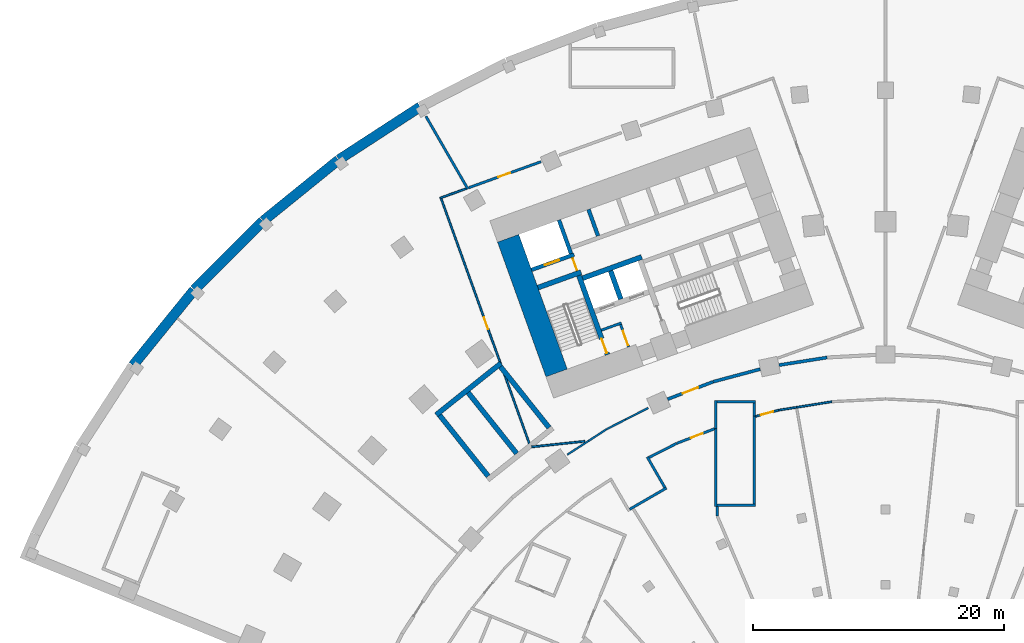
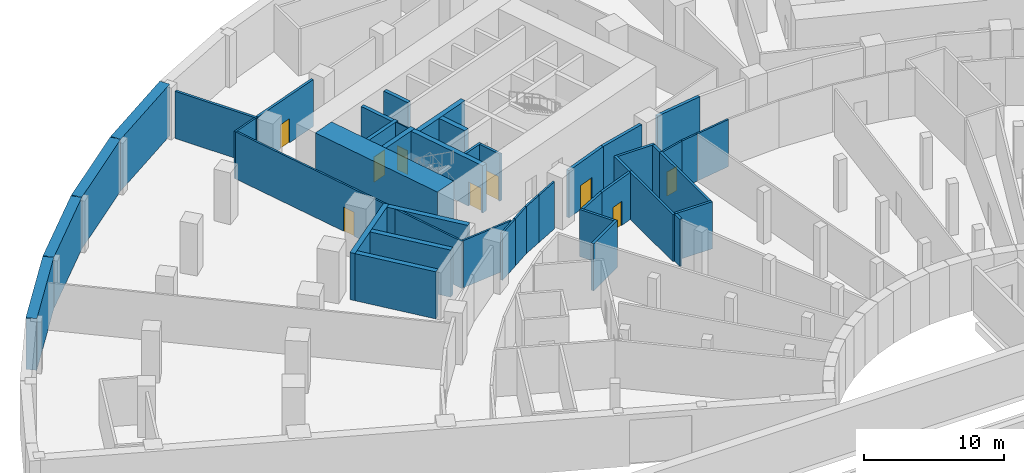
# One storey, part 8 of 23: 45 walls, 9 doors, 9 openings.
"""IFC4 building model written with IfcOpenShell, lengths in metres."""

from ifc_helpers import new_model, si_unit, direction, frame, frame_2d, origin, place, context, subcontext, project, spatial, rectangle, extrude, material, layer, layer_set, type_object, element, fill, save


model = new_model("IFC4")

# Units and contexts
model_context = context("Model", 3, precision=1e-05, world=origin(), true_north=direction((0.0, 1.0)))
body_context = subcontext(model_context, "Body", "Model", "MODEL_VIEW")
ifc_project = project(units=[si_unit("LENGTHUNIT", "METRE"), si_unit("AREAUNIT", "SQUARE_METRE"), si_unit("VOLUMEUNIT", "CUBIC_METRE"), si_unit("PLANEANGLEUNIT", "RADIAN"), si_unit("MASSUNIT", "GRAM", prefix="KILO")], contexts=[model_context])

# Site, building, storey
site_placement = place(None, origin())
site = spatial("IfcSite", under=ifc_project, at=site_placement, CompositionType="ELEMENT")
building_placement = place(site_placement, origin())
building = spatial("IfcBuilding", under=site, at=building_placement, Name="Stone Belt Terrace Tower", CompositionType="ELEMENT")
storey_placement = place(building_placement, frame((0.0, 0.0, -4.5)))
storey = spatial("IfcBuildingStorey", under=building, at=storey_placement, Name="B1", CompositionType="ELEMENT", Elevation=-4.5)

# Walls
ifc_material_1 = material(Name="Concrete B30", Category="concrete")
ifc_layer_1 = layer(ifc_material_1, 0.800048828125)
ifc_layer_set_1 = layer_set([ifc_layer_1], Name="Basement wall 800 B30")
wall_type_1 = type_object("IfcWallType", Name="Basement wall 800 B30", PredefinedType="SHEAR", material=ifc_layer_set_1)
for number, where, z_axis, x_axis, name in (
    (1, (-37.0673828125, 64.16064453125, 0.0), (0.0, 0.0, 1.0), (-0.838660466412, -0.544654589696, 0.0), "Basement wall B1 41"),
    (2, (-43.57080078125, 59.9345703125, 0.0), (0.0, 0.0, 1.0), (-0.777146839365, -0.629319306922, 0.0), "Basement wall B1 42"),
    (3, (-49.596923828125, 55.0517578125, 0.0), (0.0, 0.0, 1.0), (-0.707106781187, -0.707106781187, 0.0), "Basement wall B1 43"),
    (4, (-55.079833984375, 49.56591796875, 0.0), (0.0, 0.0, 1.0), (-0.629319306922, -0.777146839365, 0.0), "Basement wall B1 44"),
):
    element("IfcWall", number, at=place(storey_placement, frame(where, z_axis=z_axis, x_axis=x_axis)), inside=storey, type_object=wall_type_1, Name=name, PredefinedType="SHEAR", context=body_context, shape_type="SweptSolid", body=[
        extrude(rectangle(XDim=7.71435546875, YDim=0.800048828125, at=frame_2d((3.857177734375, 0.0))), origin(), (0.0, 0.0, 1.0), 4.5),
    ])
ifc_layer_2 = layer(ifc_material_1, 0.25)
ifc_layer_set_2 = layer_set([ifc_layer_2], Name="Compartment wall 250")
wall_type_2 = type_object("IfcWallType", Name="Compartment wall 250", PredefinedType="SOLIDWALL", material=ifc_layer_set_2)
wall_1_placement = place(storey_placement, frame((-8.480224609375, 43.59521484375, 0.0), z_axis=(0.0, 0.0, 1.0), x_axis=(0.987762453966, 0.155965812071, 0.0)))
element("IfcWall", 5, at=wall_1_placement, inside=storey, type_object=wall_type_2, Name="Compartment wall B1 8", PredefinedType="SOLIDWALL", context=body_context, shape_type="SweptSolid", body=[
    extrude(rectangle(XDim=3.87109375, YDim=0.25, at=frame_2d((1.935546875, 0.0))), origin(), (0.0, 0.0, 1.0), 4.10009765625),
])

# Wall, opening, door
ifc_material_2 = material(Name="Plasterboard partition")
ifc_layer_3 = layer(ifc_material_2, 0.10009765625)
ifc_layer_set_3 = layer_set([ifc_layer_3], Name="Core partition 100")
wall_type_3 = type_object("IfcWallType", Name="Core partition 100", PredefinedType="PARTITIONING", material=ifc_layer_set_3)
wall_2_placement = place(storey_placement, frame((-24.555908203125, 51.10400390625, 0.0), z_axis=(0.0, 0.0, 1.0), x_axis=(-0.338621735342, 0.94092258999, 0.0)))
wall_2 = element("IfcWall", 6, at=wall_2_placement, inside=storey, type_object=wall_type_3, Name="Core A wall", PredefinedType="PARTITIONING", context=body_context, shape_type="SweptSolid", body=[
    extrude(rectangle(XDim=1.14990234375, YDim=0.10009765625, at=frame_2d((0.574951171875, 0.0))), origin(), (0.0, 0.0, 1.0), 4.10009765625),
])
opening_1_placement = place(wall_2_placement, frame((0.050048828125, 0.0, 0.0)))
opening_1 = element("IfcOpeningElement", 7, at=opening_1_placement, cuts=wall_2, Name="Opening B1-C01", PredefinedType="OPENING", context=body_context, shape_type="SweptSolid", body=[
    extrude(rectangle(XDim=1.0, YDim=2.10009765625, at=frame_2d((0.5, 1.050048828125))), frame((0.0, 0.06005859375, 0.0), z_axis=(0.0, -1.0, 0.0), x_axis=(1.0, 0.0, 0.0)), (0.0, 0.0, 1.0), 0.1201171875),
])
ifc_material_3 = material(Name="Timber door leaf", Category="wood")
door_type_1 = type_object("IfcDoorType", Name="Core room door 1000", OperationType="SINGLE_SWING_LEFT", PredefinedType="DOOR", material=ifc_material_3)
door_1_placement = place(opening_1_placement, origin())
door_1 = element("IfcDoor", 8, at=door_1_placement, inside=storey, type_object=door_type_1, Name="Service lift lobby door core A", OperationType="SINGLE_SWING_RIGHT", OverallHeight=2.10009765625, OverallWidth=1.0, PredefinedType="DOOR", context=body_context, shape_type="SweptSolid", body=[
    extrude(rectangle(XDim=1.0, YDim=2.10009765625, at=frame_2d((0.5, 1.050048828125))), frame((0.0, 0.02490234375, 0.0), z_axis=(0.0, -1.0, 0.0), x_axis=(1.0, 0.0, 0.0)), (0.0, 0.0, 1.0), 0.050048828125),
])
fill(opening_1, door_1)

# Walls
ifc_material_4 = material(Name="Concrete B80", Category="concrete")
ifc_layer_4 = layer(ifc_material_4, 1.800048828125)
ifc_layer_set_4 = layer_set([ifc_layer_4], Name="Core wall 1800 B80")
wall_type_4 = type_object("IfcWallType", Name="Core wall 1800 B80", PredefinedType="SHEAR", material=ifc_layer_set_4)
wall_3_placement = place(storey_placement, frame((-26.197509765625, 42.96728515625, 0.0), z_axis=(0.0, 0.0, 1.0), x_axis=(-0.338625431531, 0.940921259788, 0.0)))
element("IfcWall", 9, at=wall_3_placement, inside=storey, type_object=wall_type_4, Name="Core A wall end_a B1", PredefinedType="SHEAR", context=body_context, shape_type="SweptSolid", body=[
    extrude(rectangle(XDim=11.400146484375, YDim=1.800048828125, at=frame_2d((5.7001953125, 0.0))), origin(), (0.0, 0.0, 1.0), 4.5),
])
ifc_layer_5 = layer(ifc_material_4, 0.39990234375)
ifc_layer_set_5 = layer_set([ifc_layer_5], Name="Fire-fighting lift shaft wall 400")
wall_type_5 = type_object("IfcWallType", Name="Fire-fighting lift shaft wall 400", PredefinedType="SHEAR", material=ifc_layer_set_5)
wall_4_placement = place(storey_placement, frame((-24.130615234375, 50.512939453125, 0.0), z_axis=(0.0, 0.0, 1.0), x_axis=(0.94091168377, 0.338652038744, 0.0)))
element("IfcWall", 10, at=wall_4_placement, inside=storey, type_object=wall_type_5, Name="Core A wall", PredefinedType="SHEAR", context=body_context, shape_type="SweptSolid", body=[
    extrude(rectangle(XDim=5.000244140625, YDim=0.39990234375, at=frame_2d((2.5, 0.0))), origin(), (0.0, 0.0, 1.0), 4.10009765625),
])
wall_5_placement = place(storey_placement, frame((-21.0859375, 48.845458984375, 0.0), z_axis=(0.0, 0.0, 1.0), x_axis=(-0.338629416206, 0.940919825745, 0.0)))
element("IfcWall", 11, at=wall_5_placement, inside=storey, type_object=wall_type_5, Name="Core A wall", PredefinedType="SHEAR", context=body_context, shape_type="SweptSolid", body=[
    extrude(rectangle(XDim=2.400146484375, YDim=0.39990234375, at=frame_2d((1.2001953125, 0.0))), origin(), (0.0, 0.0, 1.0), 4.10009765625),
])

# Wall, opening, door
ifc_material_5 = material(Name="Fire-resistant glazing in steel frame", Category="steel")
ifc_layer_6 = layer(ifc_material_5, 0.25)
ifc_layer_set_6 = layer_set([ifc_layer_6], Name="Glazed compartment fire screen 250")
wall_type_6 = type_object("IfcWallType", Name="Glazed compartment fire screen 250", PredefinedType="PARTITIONING", material=ifc_layer_set_6)
wall_6_placement = place(storey_placement, frame((-17.358154296875, 40.877197265625, 0.0), z_axis=(0.0, 0.0, 1.0), x_axis=(0.933580570159, 0.358367575294, 0.0)))
wall_6 = element("IfcWall", 12, at=wall_6_placement, inside=storey, type_object=wall_type_6, Name="Compartment fire screen B1 6", PredefinedType="PARTITIONING", context=body_context, shape_type="SweptSolid", body=[
    extrude(rectangle(XDim=3.8798828125, YDim=0.25, at=frame_2d((1.93994140625, 0.0))), origin(), (0.0, 0.0, 1.0), 4.10009765625),
])
opening_2_placement = place(wall_6_placement, frame((1.289794921875, 0.0, 0.0)))
opening_2 = element("IfcOpeningElement", 13, at=opening_2_placement, cuts=wall_6, Name="Opening B1-P22", PredefinedType="OPENING", context=body_context, shape_type="SweptSolid", body=[
    extrude(rectangle(XDim=1.300048828125, YDim=2.10009765625, at=frame_2d((0.64990234375, 1.050048828125))), frame((0.0, 0.135009765625, 0.0), z_axis=(0.0, -1.0, 0.0), x_axis=(1.0, 0.0, 0.0)), (0.0, 0.0, 1.0), 0.27001953125),
])
ifc_material_6 = material(Name="Steel framed fire door leaf", Category="steel")
door_type_2 = type_object("IfcDoorType", Name="Fire door 1300 x 2100 EI 60", OperationType="SINGLE_SWING_LEFT", PredefinedType="DOOR", material=ifc_material_6)
door_2_placement = place(opening_2_placement, origin())
door_2 = element("IfcDoor", 14, at=door_2_placement, inside=storey, type_object=door_type_2, Name="Fire door 1300 x 2100 EI 60", OperationType="SINGLE_SWING_LEFT", OverallHeight=2.10009765625, OverallWidth=1.300048828125, PredefinedType="DOOR", context=body_context, shape_type="SweptSolid", body=[
    extrude(rectangle(XDim=1.300048828125, YDim=2.10009765625, at=frame_2d((0.64990234375, 1.050048828125))), frame((0.0, 0.02490234375, 0.0), z_axis=(0.0, -1.0, 0.0), x_axis=(1.0, 0.0, 0.0)), (0.0, 0.0, 1.0), 0.050048828125),
])
fill(opening_2, door_2)

# Wall
wall_7_placement = place(storey_placement, frame((-13.7236328125, 42.271728515625, 0.0), z_axis=(0.0, 0.0, 1.0), x_axis=(0.966098739054, 0.258172861468, 0.0)))
element("IfcWall", 15, at=wall_7_placement, inside=storey, type_object=wall_type_6, Name="Compartment fire screen B1 7", PredefinedType="PARTITIONING", context=body_context, shape_type="SweptSolid", body=[
    extrude(rectangle(XDim=3.87158203125, YDim=0.25, at=frame_2d((1.935791015625, 0.0))), origin(), (0.0, 0.0, 1.0), 4.10009765625),
])

# Wall, opening, door
ifc_layer_7 = layer(ifc_material_4, 0.300048828125)
ifc_layer_set_7 = layer_set([ifc_layer_7], Name="Lift shaft wall 300")
wall_type_7 = type_object("IfcWallType", Name="Lift shaft wall 300", PredefinedType="SHEAR", material=ifc_layer_set_7)
wall_8_placement = place(storey_placement, frame((-28.195068359375, 51.17578125, 0.0), z_axis=(0.0, 0.0, 1.0), x_axis=(0.940901243567, 0.338681044427, 0.0)))
wall_8 = element("IfcWall", 16, at=wall_8_placement, inside=storey, type_object=wall_type_7, Name="Core A wall", PredefinedType="SHEAR", context=body_context, shape_type="SweptSolid", body=[
    extrude(rectangle(XDim=3.599853515625, YDim=0.300048828125, at=frame_2d((1.7998046875, 0.0))), origin(), (0.0, 0.0, 1.0), 4.10009765625),
])
opening_3_placement = place(wall_8_placement, frame((1.1201171875, 0.0, 0.0)))
opening_3 = element("IfcOpeningElement", 17, at=opening_3_placement, cuts=wall_8, Name="Opening B1-LD03", PredefinedType="OPENING", context=body_context, shape_type="SweptSolid", body=[
    extrude(rectangle(XDim=1.199951171875, YDim=2.199951171875, at=frame_2d((0.60009765625, 1.10009765625))), frame((0.0, 0.159912109375, 0.0), z_axis=(0.0, -1.0, 0.0), x_axis=(1.0, 0.0, 0.0)), (0.0, 0.0, 1.0), 0.320068359375),
])
ifc_material_7 = material(Name="Stainless steel door leaf", Category="steel")
door_type_3 = type_object("IfcDoorType", Name="Landing door 1200", OperationType="SLIDING_TO_LEFT", PredefinedType="DOOR", material=ifc_material_7)
door_3_placement = place(opening_3_placement, origin())
door_3 = element("IfcDoor", 18, at=door_3_placement, inside=storey, type_object=door_type_3, Name="Landing door SV1 core A", OperationType="SLIDING_TO_LEFT", OverallHeight=2.199951171875, OverallWidth=1.199951171875, PredefinedType="DOOR", context=body_context, shape_type="SweptSolid", body=[
    extrude(rectangle(XDim=1.199951171875, YDim=2.199951171875, at=frame_2d((0.60009765625, 1.10009765625))), frame((0.0, 0.02490234375, 0.0), z_axis=(0.0, -1.0, 0.0), x_axis=(1.0, 0.0, 0.0)), (0.0, 0.0, 1.0), 0.050048828125),
])
fill(opening_3, door_3)

# Walls
wall_9_placement = place(storey_placement, frame((-25.046875, 52.46826171875, 0.0), z_axis=(0.0, 0.0, 1.0), x_axis=(-0.338549588058, 0.940948551423, 0.0)))
element("IfcWall", 19, at=wall_9_placement, inside=storey, type_object=wall_type_7, Name="Core A wall", PredefinedType="SHEAR", context=body_context, shape_type="SweptSolid", body=[
    extrude(rectangle(XDim=2.849853515625, YDim=0.300048828125, at=frame_2d((1.4248046875, 0.0))), origin(), (0.0, 0.0, 1.0), 4.10009765625),
])
wall_10_placement = place(storey_placement, frame((-22.897705078125, 53.87939453125, 0.0), z_axis=(0.0, 0.0, 1.0), x_axis=(-0.338535034312, 0.940953787677, 0.0)))
element("IfcWall", 20, at=wall_10_placement, inside=storey, type_object=wall_type_7, Name="Core A wall", PredefinedType="SHEAR", context=body_context, shape_type="SweptSolid", body=[
    extrude(rectangle(XDim=2.25, YDim=0.300048828125, at=frame_2d((1.125, 0.0))), origin(), (0.0, 0.0, 1.0), 4.10009765625),
])
ifc_material_8 = material(Name="Blockwork wall, plastered both faces", Category="masonry")
ifc_layer_8 = layer(ifc_material_8, 0.199951171875)
ifc_layer_set_8 = layer_set([ifc_layer_8], Name="Podium demising wall 200")
wall_type_8 = type_object("IfcWallType", Name="Podium demising wall 200", PredefinedType="PARTITIONING", material=ifc_layer_set_8)
wall_11_placement = place(storey_placement, frame((-36.607421875, 63.409423828125, 0.0), z_axis=(0.0, 0.0, 1.0), x_axis=(0.499941423018, -0.866059220579, 0.0)))
element("IfcWall", 21, at=wall_11_placement, inside=storey, type_object=wall_type_8, Name="Podium demising wall 200", PredefinedType="PARTITIONING", context=body_context, shape_type="SweptSolid", body=[
    extrude(rectangle(XDim=6.691650390625, YDim=0.199951171875, at=frame_2d((3.345703125, 0.0))), origin(), (0.0, 0.0, 1.0), 4.10009765625),
])

# Wall, opening, door
wall_12_placement = place(storey_placement, frame((-33.1953125, 57.72119140625, 0.0), z_axis=(0.0, 0.0, 1.0), x_axis=(0.940912875537, 0.338648727518, 0.0)))
wall_12 = element("IfcWall", 22, at=wall_12_placement, inside=storey, type_object=wall_type_8, Name="Podium demising wall 200", PredefinedType="PARTITIONING", context=body_context, shape_type="SweptSolid", body=[
    extrude(rectangle(XDim=6.110595703125, YDim=0.199951171875, at=frame_2d((3.05517578125, 0.0))), origin(), (0.0, 0.0, 1.0), 4.10009765625),
])
opening_4_placement = place(wall_12_placement, frame((2.494140625, 0.0, 0.0)))
opening_4 = element("IfcOpeningElement", 23, at=opening_4_placement, cuts=wall_12, Name="Opening B1-P16", PredefinedType="OPENING", context=body_context, shape_type="SweptSolid", body=[
    extrude(rectangle(XDim=1.0, YDim=2.10009765625, at=frame_2d((0.5, 1.050048828125))), frame((0.0, 0.10986328125, 0.0), z_axis=(0.0, -1.0, 0.0), x_axis=(1.0, 0.0, 0.0)), (0.0, 0.0, 1.0), 0.219970703125),
])
ifc_material_9 = material(Name="Steel framed door leaf", Category="steel")
door_type_4 = type_object("IfcDoorType", Name="Podium door single 1000", OperationType="SINGLE_SWING_LEFT", PredefinedType="DOOR", material=ifc_material_9)
door_4_placement = place(opening_4_placement, origin())
door_4 = element("IfcDoor", 24, at=door_4_placement, inside=storey, type_object=door_type_4, Name="Podium door single 1000", OperationType="SINGLE_SWING_RIGHT", OverallHeight=2.10009765625, OverallWidth=1.0, PredefinedType="DOOR", context=body_context, shape_type="SweptSolid", body=[
    extrude(rectangle(XDim=1.0, YDim=2.10009765625, at=frame_2d((0.5, 1.050048828125))), frame((0.0, 0.02490234375, 0.0), z_axis=(0.0, -1.0, 0.0), x_axis=(1.0, 0.0, 0.0)), (0.0, 0.0, 1.0), 0.050048828125),
])
fill(opening_4, door_4)

# Walls
wall_13_placement = place(storey_placement, frame((-20.384033203125, 32.111083984375, 0.0), z_axis=(0.0, 0.0, 1.0), x_axis=(0.865826318405, 0.500344667561, 0.0)))
element("IfcWall", 25, at=wall_13_placement, inside=storey, type_object=wall_type_8, Name="Podium demising wall 200", PredefinedType="PARTITIONING", context=body_context, shape_type="SweptSolid", body=[
    extrude(rectangle(XDim=3.39599609375, YDim=0.199951171875, at=frame_2d((1.697998046875, 0.0))), origin(), (0.0, 0.0, 1.0), 4.10009765625),
])
wall_14_placement = place(storey_placement, frame((-18.97998046875, 36.27685546875, 0.0), z_axis=(0.0, 0.0, 1.0), x_axis=(0.499219983941, -0.866475278143, 0.0)))
element("IfcWall", 26, at=wall_14_placement, inside=storey, type_object=wall_type_8, Name="Podium demising wall 200", PredefinedType="PARTITIONING", context=body_context, shape_type="SweptSolid", body=[
    extrude(rectangle(XDim=2.8046875, YDim=0.199951171875, at=frame_2d((1.40234375, 0.0))), origin(), (0.0, 0.0, 1.0), 4.10009765625),
])
wall_15_placement = place(storey_placement, frame((-18.8408203125, 36.235595703125, 0.0), z_axis=(0.0, 0.0, 1.0), x_axis=(0.890513116717, 0.454957568301, 0.0)))
element("IfcWall", 27, at=wall_15_placement, inside=storey, type_object=wall_type_8, Name="Podium demising wall 200", PredefinedType="PARTITIONING", context=body_context, shape_type="SweptSolid", body=[
    extrude(rectangle(XDim=2.46630859375, YDim=0.199951171875, at=frame_2d((1.233154296875, 0.0))), origin(), (0.0, 0.0, 1.0), 4.10009765625),
])

# Wall, opening, door
wall_16_placement = place(storey_placement, frame((-16.635009765625, 37.36181640625, 0.0), z_axis=(0.0, 0.0, 1.0), x_axis=(0.932945837013, 0.360016756832, 0.0)))
wall_16 = element("IfcWall", 28, at=wall_16_placement, inside=storey, type_object=wall_type_8, Name="Podium demising wall 200", PredefinedType="PARTITIONING", context=body_context, shape_type="SweptSolid", body=[
    extrude(rectangle(XDim=3.231201171875, YDim=0.199951171875, at=frame_2d((1.61572265625, 0.0))), origin(), (0.0, 0.0, 1.0), 4.10009765625),
])
opening_5_placement = place(wall_16_placement, frame((1.2177734375, 0.0, 0.0)))
opening_5 = element("IfcOpeningElement", 29, at=opening_5_placement, cuts=wall_16, Name="Opening B1-P06", PredefinedType="OPENING", context=body_context, shape_type="SweptSolid", body=[
    extrude(rectangle(XDim=1.0, YDim=2.10009765625, at=frame_2d((0.5, 1.050048828125))), frame((0.0, 0.10986328125, 0.0), z_axis=(0.0, -1.0, 0.0), x_axis=(1.0, 0.0, 0.0)), (0.0, 0.0, 1.0), 0.219970703125),
])
door_5_placement = place(opening_5_placement, origin())
door_5 = element("IfcDoor", 30, at=door_5_placement, inside=storey, type_object=door_type_4, Name="Podium door single 1000", OperationType="SINGLE_SWING_RIGHT", OverallHeight=2.10009765625, OverallWidth=1.0, PredefinedType="DOOR", context=body_context, shape_type="SweptSolid", body=[
    extrude(rectangle(XDim=1.0, YDim=2.10009765625, at=frame_2d((0.5, 1.050048828125))), frame((0.0, 0.02490234375, 0.0), z_axis=(0.0, -1.0, 0.0), x_axis=(1.0, 0.0, 0.0)), (0.0, 0.0, 1.0), 0.050048828125),
])
fill(opening_5, door_5)

# Walls
wall_17_placement = place(storey_placement, frame((-13.39990234375, 31.59033203125, 0.0), z_axis=(0.0, 0.0, 1.0), x_axis=(0.0, 1.0, 0.0)))
element("IfcWall", 31, at=wall_17_placement, inside=storey, type_object=wall_type_8, Name="Podium demising wall 200", PredefinedType="PARTITIONING", context=body_context, shape_type="SweptSolid", body=[
    extrude(rectangle(XDim=0.749755859375, YDim=0.199951171875, at=frame_2d((0.375, 0.0))), origin(), (0.0, 0.0, 1.0), 4.10009765625),
])
ifc_material_10 = material(Name="Gypsum board on steel stud partition", Category="steel")
ifc_layer_9 = layer(ifc_material_10, 0.14990234375)
ifc_layer_set_9 = layer_set([ifc_layer_9], Name="Podium partition 150")
wall_type_9 = type_object("IfcWallType", Name="Podium partition 150", PredefinedType="PARTITIONING", material=ifc_layer_set_9)
wall_18_placement = place(storey_placement, frame((-35.490478515625, 56.894775390625, 0.0), z_axis=(0.0, 0.0, 1.0), x_axis=(0.941334110675, 0.337476061491, 0.0)))
element("IfcWall", 32, at=wall_18_placement, inside=storey, type_object=wall_type_9, Name="Podium partition 150", PredefinedType="PARTITIONING", context=body_context, shape_type="SweptSolid", body=[
    extrude(rectangle(XDim=2.21142578125, YDim=0.14990234375, at=frame_2d((1.105712890625, 0.0))), origin(), (0.0, 0.0, 1.0), 4.10009765625),
])

# Wall, opening, door
wall_19_placement = place(storey_placement, frame((-35.39453125, 56.849365234375, 0.0), z_axis=(0.0, 0.0, 1.0), x_axis=(0.33888293892, -0.940828546394, 0.0)))
wall_19 = element("IfcWall", 33, at=wall_19_placement, inside=storey, type_object=wall_type_9, Name="Podium partition 150", PredefinedType="PARTITIONING", context=body_context, shape_type="SweptSolid", body=[
    extrude(rectangle(XDim=21.1005859375, YDim=0.14990234375, at=frame_2d((10.55029296875, 0.0))), origin(), (0.0, 0.0, 1.0), 4.10009765625),
])
opening_6_placement = place(wall_19_placement, frame((10.05029296875, 0.0, 0.0)))
opening_6 = element("IfcOpeningElement", 34, at=opening_6_placement, cuts=wall_19, Name="Opening B1-P15", PredefinedType="OPENING", context=body_context, shape_type="SweptSolid", body=[
    extrude(rectangle(XDim=1.0, YDim=2.10009765625, at=frame_2d((0.5, 1.050048828125))), frame((0.0, 0.0849609375, 0.0), z_axis=(0.0, -1.0, 0.0), x_axis=(1.0, 0.0, 0.0)), (0.0, 0.0, 1.0), 0.169921875),
])
door_6_placement = place(opening_6_placement, origin())
door_6 = element("IfcDoor", 35, at=door_6_placement, inside=storey, type_object=door_type_4, Name="Podium door single 1000", OperationType="SINGLE_SWING_LEFT", OverallHeight=2.10009765625, OverallWidth=1.0, PredefinedType="DOOR", context=body_context, shape_type="SweptSolid", body=[
    extrude(rectangle(XDim=1.0, YDim=2.10009765625, at=frame_2d((0.5, 1.050048828125))), frame((0.0, 0.02490234375, 0.0), z_axis=(0.0, -1.0, 0.0), x_axis=(1.0, 0.0, 0.0)), (0.0, 0.0, 1.0), 0.050048828125),
])
fill(opening_6, door_6)

# Walls
wall_20_placement = place(storey_placement, frame((-28.193115234375, 37.078125, 0.0), z_axis=(0.0, 0.0, 1.0), x_axis=(0.99442185553, 0.105475936805, 0.0)))
element("IfcWall", 36, at=wall_20_placement, inside=storey, type_object=wall_type_9, Name="Podium partition 150", PredefinedType="PARTITIONING", context=body_context, shape_type="SweptSolid", body=[
    extrude(rectangle(XDim=4.256591796875, YDim=0.14990234375, at=frame_2d((2.12841796875, 0.0))), origin(), (0.0, 0.0, 1.0), 4.10009765625),
])
wall_21_placement = place(storey_placement, frame((-25.34375, 36.462890625, 0.0), z_axis=(0.0, 0.0, 1.0), x_axis=(0.839274651995, 0.543707695843, 0.0)))
element("IfcWall", 37, at=wall_21_placement, inside=storey, type_object=wall_type_9, Name="Podium partition 150", PredefinedType="PARTITIONING", context=body_context, shape_type="SweptSolid", body=[
    extrude(rectangle(XDim=2.017822265625, YDim=0.14990234375, at=frame_2d((1.0087890625, 0.0))), origin(), (0.0, 0.0, 1.0), 4.10009765625),
])
wall_22_placement = place(storey_placement, frame((-23.64990234375, 37.56005859375, 0.0), z_axis=(0.0, 0.0, 1.0), x_axis=(0.838309195753, 0.545195095646, 0.0)))
element("IfcWall", 38, at=wall_22_placement, inside=storey, type_object=wall_type_9, Name="Podium partition 150", PredefinedType="PARTITIONING", context=body_context, shape_type="SweptSolid", body=[
    extrude(rectangle(XDim=1.70166015625, YDim=0.14990234375, at=frame_2d((0.850830078125, 0.0))), origin(), (0.0, 0.0, 1.0), 4.10009765625),
])
wall_23_placement = place(storey_placement, frame((-22.216552734375, 38.49169921875, 0.0), z_axis=(0.0, 0.0, 1.0), x_axis=(0.890847725794, 0.454302024481, 0.0)))
element("IfcWall", 39, at=wall_23_placement, inside=storey, type_object=wall_type_9, Name="Podium partition 150", PredefinedType="PARTITIONING", context=body_context, shape_type="SweptSolid", body=[
    extrude(rectangle(XDim=1.691162109375, YDim=0.14990234375, at=frame_2d((0.845703125, 0.0))), origin(), (0.0, 0.0, 1.0), 4.10009765625),
])
wall_24_placement = place(storey_placement, frame((-20.7099609375, 39.260009765625, 0.0), z_axis=(0.0, 0.0, 1.0), x_axis=(0.89100177435, 0.453999821702, 0.0)))
element("IfcWall", 40, at=wall_24_placement, inside=storey, type_object=wall_type_9, Name="Podium partition 150", PredefinedType="PARTITIONING", context=body_context, shape_type="SweptSolid", body=[
    extrude(rectangle(XDim=2.025146484375, YDim=0.14990234375, at=frame_2d((1.0126953125, 0.0))), origin(), (0.0, 0.0, 1.0), 4.10009765625),
])

# Wall, opening, door
wall_25_placement = place(storey_placement, frame((-10.3701171875, 39.5068359375, 0.0), z_axis=(0.0, 0.0, 1.0), x_axis=(0.965679156984, 0.259737878959, 0.0)))
wall_25 = element("IfcWall", 41, at=wall_25_placement, inside=storey, type_object=wall_type_9, Name="Podium partition 150", PredefinedType="PARTITIONING", context=body_context, shape_type="SweptSolid", body=[
    extrude(rectangle(XDim=1.9326171875, YDim=0.14990234375, at=frame_2d((0.96630859375, 0.0))), origin(), (0.0, 0.0, 1.0), 4.10009765625),
])
opening_7_placement = place(wall_25_placement, frame((0.46630859375, 0.0, 0.0)))
opening_7 = element("IfcOpeningElement", 42, at=opening_7_placement, cuts=wall_25, Name="Opening B1-P07", PredefinedType="OPENING", context=body_context, shape_type="SweptSolid", body=[
    extrude(rectangle(XDim=1.0, YDim=2.10009765625, at=frame_2d((0.5, 1.050048828125))), frame((0.0, 0.0849609375, 0.0), z_axis=(0.0, -1.0, 0.0), x_axis=(1.0, 0.0, 0.0)), (0.0, 0.0, 1.0), 0.169921875),
])
door_7_placement = place(opening_7_placement, origin())
door_7 = element("IfcDoor", 43, at=door_7_placement, inside=storey, type_object=door_type_4, Name="Podium door single 1000", OperationType="SINGLE_SWING_LEFT", OverallHeight=2.10009765625, OverallWidth=1.0, PredefinedType="DOOR", context=body_context, shape_type="SweptSolid", body=[
    extrude(rectangle(XDim=1.0, YDim=2.10009765625, at=frame_2d((0.5, 1.050048828125))), frame((0.0, 0.02490234375, 0.0), z_axis=(0.0, -1.0, 0.0), x_axis=(1.0, 0.0, 0.0)), (0.0, 0.0, 1.0), 0.050048828125),
])
fill(opening_7, door_7)

# Walls
wall_26_placement = place(storey_placement, frame((-8.49609375, 40.010498046875, 0.0), z_axis=(0.0, 0.0, 1.0), x_axis=(0.988037565667, 0.154213387327, 0.0)))
element("IfcWall", 44, at=wall_26_placement, inside=storey, type_object=wall_type_9, Name="Podium partition 150", PredefinedType="PARTITIONING", context=body_context, shape_type="SweptSolid", body=[
    extrude(rectangle(XDim=1.412109375, YDim=0.14990234375, at=frame_2d((0.7060546875, 0.0))), origin(), (0.0, 0.0, 1.0), 4.10009765625),
])
wall_27_placement = place(storey_placement, frame((-7.10009765625, 40.22998046875, 0.0), z_axis=(0.0, 0.0, 1.0), x_axis=(0.987501992873, 0.157606516591, 0.0)))
element("IfcWall", 45, at=wall_27_placement, inside=storey, type_object=wall_type_9, Name="Podium partition 150", PredefinedType="PARTITIONING", context=body_context, shape_type="SweptSolid", body=[
    extrude(rectangle(XDim=2.851806640625, YDim=0.14990234375, at=frame_2d((1.42578125, 0.0))), origin(), (0.0, 0.0, 1.0), 4.10009765625),
])
ifc_layer_10 = layer(ifc_material_1, 0.199951171875)
ifc_layer_set_10 = layer_set([ifc_layer_10], Name="Podium stair and shaft wall 200")
wall_type_10 = type_object("IfcWallType", Name="Podium stair and shaft wall 200", PredefinedType="SOLIDWALL", material=ifc_layer_set_10)
wall_28_placement = place(storey_placement, frame((-13.530029296875, 32.340087890625, 0.0), z_axis=(0.0, 0.0, 1.0), x_axis=(0.0, 1.0, 0.0)))
element("IfcWall", 46, at=wall_28_placement, inside=storey, type_object=wall_type_10, Name="Podium stair and shaft wall 200", PredefinedType="SOLIDWALL", context=body_context, shape_type="SweptSolid", body=[
    extrude(rectangle(XDim=6.2099609375, YDim=0.199951171875, at=frame_2d((3.10498046875, 0.0))), origin(), (0.0, 0.0, 1.0), 4.10009765625),
])
wall_29_placement = place(storey_placement, frame((-13.530029296875, 38.550048828125, 0.0), z_axis=(0.0, 0.0, 1.0), x_axis=(0.0, 1.0, 0.0)))
element("IfcWall", 47, at=wall_29_placement, inside=storey, type_object=wall_type_10, Name="Podium stair and shaft wall 200", PredefinedType="SOLIDWALL", context=body_context, shape_type="SweptSolid", body=[
    extrude(rectangle(XDim=2.2099609375, YDim=0.199951171875, at=frame_2d((1.10498046875, 0.0))), origin(), (0.0, 0.0, 1.0), 4.10009765625),
])
wall_30_placement = place(storey_placement, frame((-13.429931640625, 40.659912109375, 0.0), z_axis=(0.0, 0.0, 1.0), x_axis=(1.0, 0.0, 0.0)))
element("IfcWall", 48, at=wall_30_placement, inside=storey, type_object=wall_type_10, Name="Podium stair and shaft wall 200", PredefinedType="SOLIDWALL", context=body_context, shape_type="SweptSolid", body=[
    extrude(rectangle(XDim=3.059814453125, YDim=0.199951171875, at=frame_2d((1.52978515625, 0.0))), origin(), (0.0, 0.0, 1.0), 4.10009765625),
])
wall_31_placement = place(storey_placement, frame((-13.427978515625, 32.43994140625, 0.0), z_axis=(0.0, 0.0, 1.0), x_axis=(1.0, 0.0, 0.0)))
element("IfcWall", 49, at=wall_31_placement, inside=storey, type_object=wall_type_10, Name="Podium stair and shaft wall 200", PredefinedType="SOLIDWALL", context=body_context, shape_type="SweptSolid", body=[
    extrude(rectangle(XDim=3.057861328125, YDim=0.199951171875, at=frame_2d((1.52880859375, 0.0))), origin(), (0.0, 0.0, 1.0), 4.10009765625),
])
wall_32_placement = place(storey_placement, frame((-10.469970703125, 32.5400390625, 0.0), z_axis=(0.0, 0.0, 1.0), x_axis=(0.0, 1.0, 0.0)))
element("IfcWall", 50, at=wall_32_placement, inside=storey, type_object=wall_type_10, Name="Podium stair and shaft wall 200", PredefinedType="SOLIDWALL", context=body_context, shape_type="SweptSolid", body=[
    extrude(rectangle(XDim=7.017578125, YDim=0.199951171875, at=frame_2d((3.5087890625, 0.0))), origin(), (0.0, 0.0, 1.0), 4.10009765625),
])
wall_33_placement = place(storey_placement, frame((-10.469970703125, 39.55810546875, 0.0), z_axis=(0.0, 0.0, 1.0), x_axis=(0.0, 1.0, 0.0)))
element("IfcWall", 51, at=wall_33_placement, inside=storey, type_object=wall_type_10, Name="Podium stair and shaft wall 200", PredefinedType="SOLIDWALL", context=body_context, shape_type="SweptSolid", body=[
    extrude(rectangle(XDim=1.001953125, YDim=0.199951171875, at=frame_2d((0.5009765625, 0.0))), origin(), (0.0, 0.0, 1.0), 4.10009765625),
])
ifc_material_11 = material(Name="Concrete masonry block", Category="masonry")
ifc_layer_11 = layer(ifc_material_11, 0.199951171875)
ifc_layer_set_11 = layer_set([ifc_layer_11], Name="Rated lobby wall 200")
wall_type_11 = type_object("IfcWallType", Name="Rated lobby wall 200", PredefinedType="PARTITIONING", material=ifc_layer_set_11)
wall_34_placement = place(storey_placement, frame((-22.640625, 46.373046875, 0.0), z_axis=(0.0, 0.0, 1.0), x_axis=(0.940966110313, 0.338500781747, 0.0)))
element("IfcWall", 52, at=wall_34_placement, inside=storey, type_object=wall_type_11, Name="Core A wall", PredefinedType="PARTITIONING", context=body_context, shape_type="SweptSolid", body=[
    extrude(rectangle(XDim=1.699951171875, YDim=0.199951171875, at=frame_2d((0.85009765625, 0.0))), origin(), (0.0, 0.0, 1.0), 4.10009765625),
])

# Wall, opening, door
wall_35_placement = place(storey_placement, frame((-20.4580078125, 45.032958984375, 0.0), z_axis=(0.0, 0.0, 1.0), x_axis=(-0.338573865316, 0.940939816208, 0.0)))
wall_35 = element("IfcWall", 53, at=wall_35_placement, inside=storey, type_object=wall_type_11, Name="Core A wall", PredefinedType="PARTITIONING", context=body_context, shape_type="SweptSolid", body=[
    extrude(rectangle(XDim=1.900146484375, YDim=0.199951171875, at=frame_2d((0.9501953125, 0.0))), origin(), (0.0, 0.0, 1.0), 4.10009765625),
])
opening_8_placement = place(wall_35_placement, frame((0.14990234375, 0.0, 0.0)))
opening_8 = element("IfcOpeningElement", 54, at=opening_8_placement, cuts=wall_35, Name="Opening B1-C04", PredefinedType="OPENING", context=body_context, shape_type="SweptSolid", body=[
    extrude(rectangle(XDim=1.199951171875, YDim=2.10009765625, at=frame_2d((0.60009765625, 1.050048828125))), frame((0.0, 0.10986328125, 0.0), z_axis=(0.0, -1.0, 0.0), x_axis=(1.0, 0.0, 0.0)), (0.0, 0.0, 1.0), 0.219970703125),
])
ifc_material_12 = material(Name="Steel door leaf", Category="steel")
door_type_5 = type_object("IfcDoorType", Name="Stair door 1200", OperationType="SINGLE_SWING_LEFT", PredefinedType="DOOR", material=ifc_material_12)
door_8_placement = place(opening_8_placement, origin())
door_8 = element("IfcDoor", 55, at=door_8_placement, inside=storey, type_object=door_type_5, Name="Stair airlock door core A", OperationType="SINGLE_SWING_RIGHT", OverallHeight=2.10009765625, OverallWidth=1.199951171875, PredefinedType="DOOR", context=body_context, shape_type="SweptSolid", body=[
    extrude(rectangle(XDim=1.199951171875, YDim=2.10009765625, at=frame_2d((0.60009765625, 1.050048828125))), frame((0.0, 0.02490234375, 0.0), z_axis=(0.0, -1.0, 0.0), x_axis=(1.0, 0.0, 0.0)), (0.0, 0.0, 1.0), 0.050048828125),
])
fill(opening_8, door_8)

# Wall
ifc_layer_12 = layer(ifc_material_4, 0.39990234375)
ifc_layer_set_12 = layer_set([ifc_layer_12], Name="Stair enclosure wall 400")
wall_type_12 = type_object("IfcWallType", Name="Stair enclosure wall 400", PredefinedType="SHEAR", material=ifc_layer_set_12)
wall_36_placement = place(storey_placement, frame((-27.687255859375, 49.764404296875, 0.0), z_axis=(0.0, 0.0, 1.0), x_axis=(0.940918954884, 0.338631835981, 0.0)))
element("IfcWall", 56, at=wall_36_placement, inside=storey, type_object=wall_type_12, Name="Core A wall", PredefinedType="SHEAR", context=body_context, shape_type="SweptSolid", body=[
    extrude(rectangle(XDim=3.650146484375, YDim=0.39990234375, at=frame_2d((1.8251953125, 0.0))), origin(), (0.0, 0.0, 1.0), 4.10009765625),
])

# Wall, opening, door
wall_37_placement = place(storey_placement, frame((-22.151611328125, 44.42333984375, 0.0), z_axis=(0.0, 0.0, 1.0), x_axis=(-0.338625272931, 0.940921316866, 0.0)))
wall_37 = element("IfcWall", 57, at=wall_37_placement, inside=storey, type_object=wall_type_12, Name="Core A wall", PredefinedType="SHEAR", context=body_context, shape_type="SweptSolid", body=[
    extrude(rectangle(XDim=6.699951171875, YDim=0.39990234375, at=frame_2d((3.35009765625, 0.0))), origin(), (0.0, 0.0, 1.0), 4.10009765625),
])
opening_9_placement = place(wall_37_placement, frame((0.14990234375, 0.0, 0.0)))
opening_9 = element("IfcOpeningElement", 58, at=opening_9_placement, cuts=wall_37, Name="Opening B1-C03", PredefinedType="OPENING", context=body_context, shape_type="SweptSolid", body=[
    extrude(rectangle(XDim=1.199951171875, YDim=2.10009765625, at=frame_2d((0.60009765625, 1.050048828125))), frame((0.0, 0.2099609375, 0.0), z_axis=(0.0, -1.0, 0.0), x_axis=(1.0, 0.0, 0.0)), (0.0, 0.0, 1.0), 0.419921875),
])
door_9_placement = place(opening_9_placement, origin())
door_9 = element("IfcDoor", 59, at=door_9_placement, inside=storey, type_object=door_type_5, Name="Stair 1 door core A", OperationType="SINGLE_SWING_RIGHT", OverallHeight=2.10009765625, OverallWidth=1.199951171875, PredefinedType="DOOR", context=body_context, shape_type="SweptSolid", body=[
    extrude(rectangle(XDim=1.199951171875, YDim=2.10009765625, at=frame_2d((0.60009765625, 1.050048828125))), frame((0.0, 0.02490234375, 0.0), z_axis=(0.0, -1.0, 0.0), x_axis=(1.0, 0.0, 0.0)), (0.0, 0.0, 1.0), 0.050048828125),
])
fill(opening_9, door_9)

# Walls
wall_38_placement = place(storey_placement, frame((-30.63134765625, 43.74365234375, 0.0), z_axis=(0.0, 0.0, 1.0), x_axis=(-0.782133914161, -0.623110375711, 0.0)))
element("IfcWall", 60, at=wall_38_placement, inside=storey, type_object=wall_type_12, Name="Exit stair ST3A wall base", PredefinedType="SHEAR", context=body_context, shape_type="SweptSolid", body=[
    extrude(rectangle(XDim=6.60009765625, YDim=0.39990234375, at=frame_2d((3.300048828125, 0.0))), origin(), (0.0, 0.0, 1.0), 4.10009765625),
])
for number, where, z_axis, x_axis, name in (
    (61, (-26.7998046875, 38.61328125, 0.0), (0.0, 0.0, 1.0), (-0.623118653668, 0.782127319208, 0.0), "Exit stair ST3A wall base"),
    (62, (-31.64892578125, 34.75, 0.0), (0.0, 0.0, 1.0), (-0.623118653668, 0.782127319208, 0.0), "Exit stair ST3A wall base"),
):
    element("IfcWall", number, at=place(storey_placement, frame(where, z_axis=z_axis, x_axis=x_axis)), inside=storey, type_object=wall_type_12, Name=name, PredefinedType="SHEAR", context=body_context, shape_type="SweptSolid", body=[
        extrude(rectangle(XDim=6.199951171875, YDim=0.39990234375, at=frame_2d((3.10009765625, 0.0))), origin(), (0.0, 0.0, 1.0), 4.10009765625),
    ])
wall_39_placement = place(storey_placement, frame((-29.380859375, 36.556884765625, 0.0), z_axis=(0.0, 0.0, 1.0), x_axis=(-0.623099462847, 0.782142608097, 0.0)))
element("IfcWall", 63, at=wall_39_placement, inside=storey, type_object=wall_type_12, Name="Exit stair ST3A wall base", PredefinedType="SHEAR", context=body_context, shape_type="SweptSolid", body=[
    extrude(rectangle(XDim=6.2001953125, YDim=0.39990234375, at=frame_2d((3.10009765625, 0.0))), origin(), (0.0, 0.0, 1.0), 4.10009765625),
])

save(model, "model.ifc")
